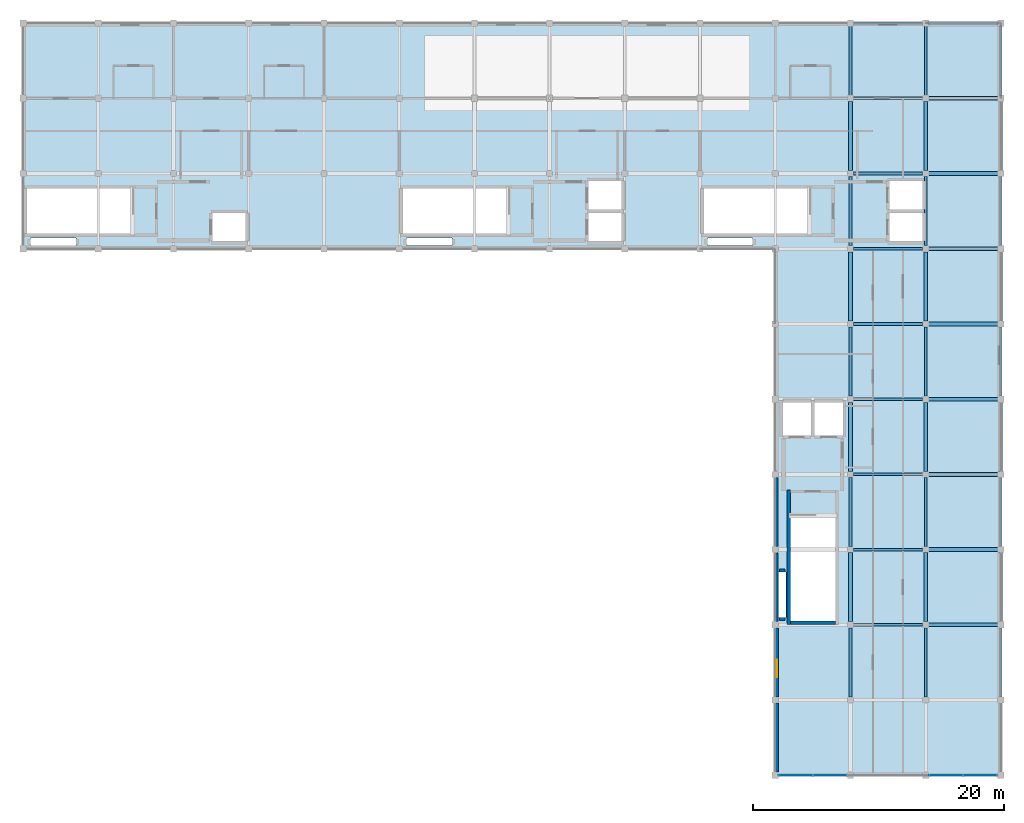
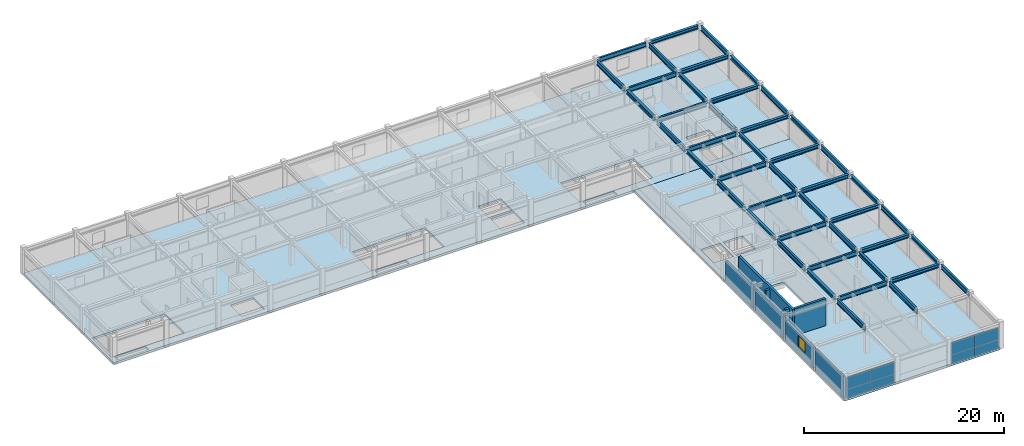
# One storey, part 5 of 11: 45 beams, 8 plates, 8 walls, 2 slabs, 1 window, 1 opening, 2 elements without a shape of their own.
"""IFC4 building model written with IfcOpenShell, lengths in metres."""

from ifc_helpers import new_model, si_unit, direction, frame, frame_2d, origin, origin_2d, place, context, subcontext, project, spatial, polyline, rectangle, i_section, outline, extrude, material, layer, layer_set, material_profile, profile_set, type_object, element, fill, aggregate, save


model = new_model("IFC4")

# Units and contexts
model_context = context("Model", 3, precision=1e-05, world=origin(), true_north=direction((0.0, 1.0)))
body_context = subcontext(model_context, "Body", "Model", "MODEL_VIEW")
ifc_project = project(units=[si_unit("LENGTHUNIT", "METRE"), si_unit("AREAUNIT", "SQUARE_METRE"), si_unit("VOLUMEUNIT", "CUBIC_METRE"), si_unit("PLANEANGLEUNIT", "RADIAN"), si_unit("MASSUNIT", "GRAM", prefix="KILO"), si_unit("THERMODYNAMICTEMPERATUREUNIT", "KELVIN"), si_unit("POWERUNIT", "WATT")], contexts=[model_context])

# Site, building, storey
site_placement = place(None, origin())
site = spatial("IfcSite", under=ifc_project, at=site_placement, CompositionType="ELEMENT")
building_placement = place(site_placement, origin())
building = spatial("IfcBuilding", under=site, at=building_placement, Name="Phaisarnlok Congress Hotel", CompositionType="ELEMENT")
storey_placement = place(building_placement, frame((0.0, 0.0, 51.300048828125)))
storey = spatial("IfcBuildingStorey", under=building, at=storey_placement, Name="L13", CompositionType="ELEMENT", Elevation=51.300048828125)

# Beams
ifc_material_1 = material(Name="Steel S355", Category="steel")
ifc_material_profile_1 = material_profile(ifc_material_1, i_section(OverallWidth=0.300048828125, OverallDepth=0.43994140625, WebThickness=0.011474609375, FlangeThickness=0.02099609375, FilletRadius=0.027099609375, at=origin_2d()), Name="HEA 450")
ifc_profile_set_1 = profile_set([ifc_material_profile_1], Name="Steel S355")
beam_type_1 = type_object("IfcBeamType", Name="BM-STL-HEA450", PredefinedType="BEAM", material=ifc_profile_set_1)
for number, where, z_axis, x_axis, name in (
    (1, (174.2451171875, 78.0, 2.83984375), (1.0, 0.0, 0.0), (0.0, 1.0, 0.0), "Roof beam SB-06"),
    (2, (174.2451171875, 84.0, 2.83984375), (1.0, 0.0, 0.0), (0.0, 1.0, 0.0), "Roof beam SB-06"),
    (3, (174.2451171875, 90.0, 2.83984375), (1.0, 0.0, 0.0), (0.0, 1.0, 0.0), "Roof beam SB-06"),
    (4, (174.2451171875, 96.0, 2.83984375), (1.0, 0.0, 0.0), (0.0, 1.0, 0.0), "Roof beam SB-06"),
    (5, (174.2451171875, 102.0, 2.83984375), (1.0, 0.0, 0.0), (0.0, 1.0, 0.0), "Roof beam SB-06"),
    (6, (174.2451171875, 108.0, 2.83984375), (1.0, 0.0, 0.0), (0.0, 1.0, 0.0), "Roof beam SB-06"),
    (7, (174.2451171875, 114.0, 2.83984375), (1.0, 0.0, 0.0), (0.0, 1.0, 0.0), "Roof beam SB-06"),
    (8, (174.2451171875, 120.0, 2.83984375), (1.0, 0.0, 0.0), (0.0, 1.0, 0.0), "Roof beam SB-06"),
    (9, (174.2451171875, 126.0, 2.83984375), (1.0, 0.0, 0.0), (0.0, 1.0, 0.0), "Roof beam SB-06"),
):
    element("IfcBeam", number, at=place(storey_placement, frame(where, z_axis=z_axis, x_axis=x_axis)), inside=storey, type_object=beam_type_1, Name=name, PredefinedType="BEAM", context=body_context, shape_type="SweptSolid", body=[
        extrude(i_section(OverallWidth=0.300048828125, OverallDepth=0.43994140625, WebThickness=0.011474609375, FlangeThickness=0.02099609375, FilletRadius=0.027099609375, at=origin_2d()), origin(), (0.0, 0.0, 1.0), 5.509765625),
    ])
ifc_material_profile_2 = material_profile(ifc_material_1, i_section(OverallWidth=0.300048828125, OverallDepth=0.449951171875, WebThickness=0.013916015625, FlangeThickness=0.02587890625, FilletRadius=0.027099609375, at=origin_2d()), Name="HEB 450")
ifc_profile_set_2 = profile_set([ifc_material_profile_2], Name="Steel S355")
beam_type_2 = type_object("IfcBeamType", Name="BM-STL-HEB450", PredefinedType="BEAM", material=ifc_profile_set_2)
for number, where, z_axis, x_axis, name in (
    (10, (168.0, 78.2451171875, 2.8349609375), (0.0, 1.0, 0.0), (-1.0, 0.0, 0.0), "Roof beam SB-08"),
    (11, (168.0, 90.2451171875, 2.8349609375), (0.0, 1.0, 0.0), (-1.0, 0.0, 0.0), "Roof beam SB-08"),
    (12, (168.0, 102.2451171875, 2.8349609375), (0.0, 1.0, 0.0), (-1.0, 0.0, 0.0), "Roof beam SB-08"),
    (13, (168.0, 114.2451171875, 2.8349609375), (0.0, 1.0, 0.0), (-1.0, 0.0, 0.0), "Roof beam SB-08"),
    (14, (174.0, 78.2451171875, 2.8349609375), (0.0, 1.0, 0.0), (-1.0, 0.0, 0.0), "Roof beam SB-08"),
    (15, (174.0, 90.2451171875, 2.8349609375), (0.0, 1.0, 0.0), (-1.0, 0.0, 0.0), "Roof beam SB-08"),
    (16, (174.0, 102.2451171875, 2.8349609375), (0.0, 1.0, 0.0), (-1.0, 0.0, 0.0), "Roof beam SB-08"),
    (17, (174.0, 114.2451171875, 2.8349609375), (0.0, 1.0, 0.0), (-1.0, 0.0, 0.0), "Roof beam SB-08"),
    (18, (180.0, 78.2451171875, 2.8349609375), (0.0, 1.0, 0.0), (-1.0, 0.0, 0.0), "Roof beam SB-08"),
    (19, (180.0, 90.2451171875, 2.8349609375), (0.0, 1.0, 0.0), (-1.0, 0.0, 0.0), "Roof beam SB-08"),
    (20, (180.0, 102.2451171875, 2.8349609375), (0.0, 1.0, 0.0), (-1.0, 0.0, 0.0), "Roof beam SB-08"),
    (21, (180.0, 114.2451171875, 2.8349609375), (0.0, 1.0, 0.0), (-1.0, 0.0, 0.0), "Roof beam SB-08"),
):
    element("IfcBeam", number, at=place(storey_placement, frame(where, z_axis=z_axis, x_axis=x_axis)), inside=storey, type_object=beam_type_2, Name=name, PredefinedType="BEAM", context=body_context, shape_type="SweptSolid", body=[
        extrude(i_section(OverallWidth=0.300048828125, OverallDepth=0.449951171875, WebThickness=0.013916015625, FlangeThickness=0.02587890625, FilletRadius=0.027099609375, at=origin_2d()), origin(), (0.0, 0.0, 1.0), 5.509765625),
    ])
ifc_material_profile_3 = material_profile(ifc_material_1, i_section(OverallWidth=0.2099609375, OverallDepth=0.550048828125, WebThickness=0.010986328125, FlangeThickness=0.01708984375, FilletRadius=0.02392578125, at=origin_2d()), Name="IPE 550")
ifc_profile_set_3 = profile_set([ifc_material_profile_3], Name="Steel S355")
beam_type_3 = type_object("IfcBeamType", Name="BM-STL-IPE550", PredefinedType="BEAM", material=ifc_profile_set_3)
for number, where, z_axis, x_axis, name in (
    (22, (168.2451171875, 78.0, 2.784912109375), (1.0, 0.0, 0.0), (0.0, 1.0, 0.0), "Roof beam SB-03"),
    (23, (168.2451171875, 84.0, 2.784912109375), (1.0, 0.0, 0.0), (0.0, 1.0, 0.0), "Roof beam SB-03"),
    (24, (168.2451171875, 90.0, 2.784912109375), (1.0, 0.0, 0.0), (0.0, 1.0, 0.0), "Roof beam SB-03"),
    (25, (168.2451171875, 96.0, 2.784912109375), (1.0, 0.0, 0.0), (0.0, 1.0, 0.0), "Roof beam SB-03"),
    (26, (168.2451171875, 102.0, 2.784912109375), (1.0, 0.0, 0.0), (0.0, 1.0, 0.0), "Roof beam SB-03"),
    (27, (168.2451171875, 108.0, 2.784912109375), (1.0, 0.0, 0.0), (0.0, 1.0, 0.0), "Roof beam SB-03"),
    (28, (168.2451171875, 114.0, 2.784912109375), (1.0, 0.0, 0.0), (0.0, 1.0, 0.0), "Roof beam SB-03"),
    (29, (168.2451171875, 120.0, 2.784912109375), (1.0, 0.0, 0.0), (0.0, 1.0, 0.0), "Roof beam SB-03"),
    (30, (168.2451171875, 126.0, 2.784912109375), (1.0, 0.0, 0.0), (0.0, 1.0, 0.0), "Roof beam SB-03"),
):
    element("IfcBeam", number, at=place(storey_placement, frame(where, z_axis=z_axis, x_axis=x_axis)), inside=storey, type_object=beam_type_3, Name=name, PredefinedType="BEAM", context=body_context, shape_type="SweptSolid", body=[
        extrude(i_section(OverallWidth=0.2099609375, OverallDepth=0.550048828125, WebThickness=0.010986328125, FlangeThickness=0.01708984375, FilletRadius=0.02392578125, at=origin_2d()), origin(), (0.0, 0.0, 1.0), 5.509765625),
    ])
ifc_material_profile_4 = material_profile(ifc_material_1, i_section(OverallWidth=0.219970703125, OverallDepth=0.60009765625, WebThickness=0.011962890625, FlangeThickness=0.01904296875, FilletRadius=0.02392578125, at=origin_2d()), Name="IPE 600")
ifc_profile_set_4 = profile_set([ifc_material_profile_4], Name="Steel S355")
beam_type_4 = type_object("IfcBeamType", Name="BM-STL-IPE600", PredefinedType="BEAM", material=ifc_profile_set_4)
for number, where, z_axis, x_axis, name in (
    (31, (168.0, 72.2451171875, 2.760009765625), (0.0, 1.0, 0.0), (-1.0, 0.0, 0.0), "Roof beam SB-04"),
    (32, (168.0, 84.2451171875, 2.760009765625), (0.0, 1.0, 0.0), (-1.0, 0.0, 0.0), "Roof beam SB-04"),
    (33, (168.0, 96.2451171875, 2.760009765625), (0.0, 1.0, 0.0), (-1.0, 0.0, 0.0), "Roof beam SB-04"),
    (34, (168.0, 108.2451171875, 2.760009765625), (0.0, 1.0, 0.0), (-1.0, 0.0, 0.0), "Roof beam SB-04"),
    (35, (168.0, 120.2451171875, 2.760009765625), (0.0, 1.0, 0.0), (-1.0, 0.0, 0.0), "Roof beam SB-04"),
    (36, (174.0, 72.2451171875, 2.760009765625), (0.0, 1.0, 0.0), (-1.0, 0.0, 0.0), "Roof beam SB-04"),
    (37, (174.0, 84.2451171875, 2.760009765625), (0.0, 1.0, 0.0), (-1.0, 0.0, 0.0), "Roof beam SB-04"),
    (38, (174.0, 96.2451171875, 2.760009765625), (0.0, 1.0, 0.0), (-1.0, 0.0, 0.0), "Roof beam SB-04"),
    (39, (174.0, 108.2451171875, 2.760009765625), (0.0, 1.0, 0.0), (-1.0, 0.0, 0.0), "Roof beam SB-04"),
    (40, (174.0, 120.2451171875, 2.760009765625), (0.0, 1.0, 0.0), (-1.0, 0.0, 0.0), "Roof beam SB-04"),
    (41, (180.0, 72.2451171875, 2.760009765625), (0.0, 1.0, 0.0), (-1.0, 0.0, 0.0), "Roof beam SB-04"),
    (42, (180.0, 84.2451171875, 2.760009765625), (0.0, 1.0, 0.0), (-1.0, 0.0, 0.0), "Roof beam SB-04"),
    (43, (180.0, 96.2451171875, 2.760009765625), (0.0, 1.0, 0.0), (-1.0, 0.0, 0.0), "Roof beam SB-04"),
    (44, (180.0, 108.2451171875, 2.760009765625), (0.0, 1.0, 0.0), (-1.0, 0.0, 0.0), "Roof beam SB-04"),
    (45, (180.0, 120.2451171875, 2.760009765625), (0.0, 1.0, 0.0), (-1.0, 0.0, 0.0), "Roof beam SB-04"),
):
    element("IfcBeam", number, at=place(storey_placement, frame(where, z_axis=z_axis, x_axis=x_axis)), inside=storey, type_object=beam_type_4, Name=name, PredefinedType="BEAM", context=body_context, shape_type="SweptSolid", body=[
        extrude(i_section(OverallWidth=0.219970703125, OverallDepth=0.60009765625, WebThickness=0.011962890625, FlangeThickness=0.01904296875, FilletRadius=0.02392578125, at=origin_2d()), origin(), (0.0, 0.0, 1.0), 5.509765625),
    ])

# Curtain wall, plates
ifc_material_2 = material(Name="Thermally Broken Unitised Aluminium & Low-E Glazing", Category="aluminium")
curtain_wall_type = type_object("IfcCurtainWallType", Name="CW-UNIT-39", PredefinedType="NOTDEFINED", material=ifc_material_2)
curtain_wall_1_placement = place(storey_placement, origin())
curtain_wall_1 = element("IfcCurtainWall", 46, at=curtain_wall_1_placement, inside=storey, type_object=curtain_wall_type, Name="Unitised curtain wall CW-39 (L13)", PredefinedType="NOTDEFINED")
ifc_material_3 = material(Name="Triple Acoustic Solar-Control Glazing", Category="glass")
ifc_layer_1 = layer(ifc_material_3, 0.035888671875, Name="Triple Acoustic Solar-Control Glazing")
ifc_layer_set_1 = layer_set([ifc_layer_1], Name="Triple Acoustic Solar-Control Glazing")
plate_type = type_object("IfcPlateType", Name="CWP-GLZ-36", PredefinedType="CURTAIN_PANEL", material=ifc_layer_set_1)
plate_1_placement = place(storey_placement, frame((162.27490234375, 66.0, 0.0400390625), z_axis=(0.0, 0.0, 1.0), x_axis=(1.0, 0.0, 0.0)))
plate_1 = element("IfcPlate", 47, at=plate_1_placement, type_object=plate_type, Name="Glazed curtain panel CWP-02", PredefinedType="CURTAIN_PANEL", context=body_context, shape_type="SweptSolid", body=[
    extrude(rectangle(XDim=2.710205078125, YDim=0.028076171875, at=frame_2d((1.35498046875, 0.0))), origin(), (0.0, 0.0, 1.0), 1.059814453125),
])
plate_2_placement = place(storey_placement, frame((162.27490234375, 66.0, 1.099853515625), z_axis=(0.0, 0.0, 1.0), x_axis=(1.0, 0.0, 0.0)))
plate_2 = element("IfcPlate", 48, at=plate_2_placement, type_object=plate_type, Name="Glazed curtain panel CWP-02", PredefinedType="CURTAIN_PANEL", context=body_context, shape_type="SweptSolid", body=[
    extrude(rectangle(XDim=2.710205078125, YDim=0.028076171875, at=frame_2d((1.35498046875, 0.0))), origin(), (0.0, 0.0, 1.0), 1.47998046875),
])
plate_3_placement = place(storey_placement, frame((165.014892578125, 66.0, 0.0400390625), z_axis=(0.0, 0.0, 1.0), x_axis=(1.0, 0.0, 0.0)))
plate_3 = element("IfcPlate", 49, at=plate_3_placement, type_object=plate_type, Name="Glazed curtain panel CWP-02", PredefinedType="CURTAIN_PANEL", context=body_context, shape_type="SweptSolid", body=[
    extrude(rectangle(XDim=2.710205078125, YDim=0.028076171875, at=frame_2d((1.35498046875, 0.0))), origin(), (0.0, 0.0, 1.0), 1.059814453125),
])
plate_4_placement = place(storey_placement, frame((165.014892578125, 66.0, 1.099853515625), z_axis=(0.0, 0.0, 1.0), x_axis=(1.0, 0.0, 0.0)))
plate_4 = element("IfcPlate", 50, at=plate_4_placement, type_object=plate_type, Name="Glazed curtain panel CWP-02", PredefinedType="CURTAIN_PANEL", context=body_context, shape_type="SweptSolid", body=[
    extrude(rectangle(XDim=2.710205078125, YDim=0.028076171875, at=frame_2d((1.35498046875, 0.0))), origin(), (0.0, 0.0, 1.0), 1.47998046875),
])
aggregate(curtain_wall_1, [plate_1, plate_2, plate_3, plate_4])

curtain_wall_2_placement = place(storey_placement, origin())
curtain_wall_2 = element("IfcCurtainWall", 51, at=curtain_wall_2_placement, inside=storey, type_object=curtain_wall_type, Name="Unitised curtain wall CW-39 (L13)", PredefinedType="NOTDEFINED")
plate_5_placement = place(storey_placement, frame((174.27490234375, 66.0, 0.0400390625), z_axis=(0.0, 0.0, 1.0), x_axis=(1.0, 0.0, 0.0)))
plate_5 = element("IfcPlate", 52, at=plate_5_placement, type_object=plate_type, Name="Glazed curtain panel CWP-02", PredefinedType="CURTAIN_PANEL", context=body_context, shape_type="SweptSolid", body=[
    extrude(rectangle(XDim=2.710205078125, YDim=0.028076171875, at=frame_2d((1.35498046875, 0.0))), origin(), (0.0, 0.0, 1.0), 1.059814453125),
])
plate_6_placement = place(storey_placement, frame((174.27490234375, 66.0, 1.099853515625), z_axis=(0.0, 0.0, 1.0), x_axis=(1.0, 0.0, 0.0)))
plate_6 = element("IfcPlate", 53, at=plate_6_placement, type_object=plate_type, Name="Glazed curtain panel CWP-02", PredefinedType="CURTAIN_PANEL", context=body_context, shape_type="SweptSolid", body=[
    extrude(rectangle(XDim=2.710205078125, YDim=0.028076171875, at=frame_2d((1.35498046875, 0.0))), origin(), (0.0, 0.0, 1.0), 1.47998046875),
])
plate_7_placement = place(storey_placement, frame((177.014892578125, 66.0, 0.0400390625), z_axis=(0.0, 0.0, 1.0), x_axis=(1.0, 0.0, 0.0)))
plate_7 = element("IfcPlate", 54, at=plate_7_placement, type_object=plate_type, Name="Glazed curtain panel CWP-02", PredefinedType="CURTAIN_PANEL", context=body_context, shape_type="SweptSolid", body=[
    extrude(rectangle(XDim=2.710205078125, YDim=0.028076171875, at=frame_2d((1.35498046875, 0.0))), origin(), (0.0, 0.0, 1.0), 1.059814453125),
])
plate_8_placement = place(storey_placement, frame((177.014892578125, 66.0, 1.099853515625), z_axis=(0.0, 0.0, 1.0), x_axis=(1.0, 0.0, 0.0)))
plate_8 = element("IfcPlate", 55, at=plate_8_placement, type_object=plate_type, Name="Glazed curtain panel CWP-02", PredefinedType="CURTAIN_PANEL", context=body_context, shape_type="SweptSolid", body=[
    extrude(rectangle(XDim=2.710205078125, YDim=0.028076171875, at=frame_2d((1.35498046875, 0.0))), origin(), (0.0, 0.0, 1.0), 1.47998046875),
])
aggregate(curtain_wall_2, [plate_5, plate_6, plate_7, plate_8])

# Slabs
ifc_material_4 = material(Name="Concrete C40/50", Category="concrete")
ifc_layer_2 = layer(ifc_material_4, 0.25, Name="Concrete C40/50")
ifc_layer_set_2 = layer_set([ifc_layer_2], Name="Concrete C40/50")
slab_type = type_object("IfcSlabType", Name="SLB-INT-250", PredefinedType="FLOOR", material=ifc_layer_set_2)
slab_1_placement = place(storey_placement, frame((0.0, 0.0, -0.25)))
element("IfcSlab", 56, at=slab_1_placement, inside=storey, type_object=slab_type, Name="Floor slab SL-INT-250 (L13 v5_n)", PredefinedType="FLOOR", context=body_context, shape_type="SweptSolid", body=[
    extrude(outline(polyline([(180.0, 108.0), (180.0, 126.0), (102.0, 126.0), (102.0, 108.0), (180.0, 108.0)]), holes=[polyline([(164.719970703125, 112.800048828125), (156.300048828125, 112.800048828125), (156.300048828125, 109.0), (164.719970703125, 109.0), (164.719970703125, 112.800048828125)]), polyline([(140.719970703125, 112.800048828125), (132.300048828125, 112.800048828125), (132.300048828125, 109.0), (140.719970703125, 109.0), (140.719970703125, 112.800048828125)]), polyline([(110.719970703125, 112.800048828125), (102.300048828125, 112.800048828125), (102.300048828125, 109.0), (110.719970703125, 109.0), (110.719970703125, 112.800048828125)]), polyline([(173.75, 108.60009765625), (173.75, 110.85009765625), (171.10009765625, 110.85009765625), (171.10009765625, 108.60009765625), (173.75, 108.60009765625)]), polyline([(173.75, 111.14990234375), (173.75, 113.39990234375), (171.10009765625, 113.39990234375), (171.10009765625, 111.14990234375), (173.75, 111.14990234375)]), polyline([(160.199951171875, 108.25), (160.199951171875, 108.85009765625), (156.60009765625, 108.85009765625), (156.60009765625, 108.25), (160.199951171875, 108.25)]), polyline([(149.75, 108.60009765625), (149.75, 110.85009765625), (147.10009765625, 110.85009765625), (147.10009765625, 108.60009765625), (149.75, 108.60009765625)]), polyline([(149.75, 111.14990234375), (149.75, 113.39990234375), (147.10009765625, 113.39990234375), (147.10009765625, 111.14990234375), (149.75, 111.14990234375)]), polyline([(136.199951171875, 108.25), (136.199951171875, 108.85009765625), (132.60009765625, 108.85009765625), (132.60009765625, 108.25), (136.199951171875, 108.25)]), polyline([(119.75, 108.60009765625), (119.75, 110.85009765625), (117.10009765625, 110.85009765625), (117.10009765625, 108.60009765625), (119.75, 108.60009765625)]), polyline([(106.199951171875, 108.25), (106.199951171875, 108.85009765625), (102.60009765625, 108.85009765625), (102.60009765625, 108.25), (106.199951171875, 108.25)])]), origin(), (0.0, 0.0, 1.0), 0.25),
])
slab_2_placement = place(storey_placement, frame((0.0, 0.0, -0.25)))
element("IfcSlab", 57, at=slab_2_placement, inside=storey, type_object=slab_type, Name="Floor slab SL-INT-250 (L13 v5_e)", PredefinedType="FLOOR", context=body_context, shape_type="SweptSolid", body=[
    extrude(outline(polyline([(180.0, 66.0), (180.0, 108.0), (162.0, 108.0), (162.0, 66.0), (180.0, 66.0)]), holes=[polyline([(163.199951171875, 86.719970703125), (163.199951171875, 78.300048828125), (167.0, 78.300048828125), (167.0, 86.719970703125), (163.199951171875, 86.719970703125)]), polyline([(164.85009765625, 93.10009765625), (164.85009765625, 95.75), (162.60009765625, 95.75), (162.60009765625, 93.10009765625), (164.85009765625, 93.10009765625)]), polyline([(167.39990234375, 93.10009765625), (167.39990234375, 95.75), (165.14990234375, 95.75), (165.14990234375, 93.10009765625), (167.39990234375, 93.10009765625)]), polyline([(162.85009765625, 78.60009765625), (162.85009765625, 82.199951171875), (162.25, 82.199951171875), (162.25, 78.60009765625), (162.85009765625, 78.60009765625)])]), origin(), (0.0, 0.0, 1.0), 0.25),
])

# Walls
ifc_layer_3 = layer(ifc_material_4, 0.2099609375, Name="Concrete C40/50")
ifc_layer_set_3 = layer_set([ifc_layer_3], Name="Concrete C40/50")
wall_type_1 = type_object("IfcWallType", Name="WL-EXT-210", PredefinedType="SOLIDWALL", material=ifc_layer_set_3)
wall_1_placement = place(storey_placement, frame((162.10498046875, 83.7451171875, 0.0), z_axis=(0.0, 0.0, 1.0), x_axis=(0.0, -1.0, 0.0)))
element("IfcWall", 58, at=wall_1_placement, inside=storey, type_object=wall_type_1, Name="Exterior wall EW-07 (L13)", PredefinedType="SOLIDWALL", context=body_context, shape_type="SweptSolid", body=[
    extrude(rectangle(XDim=5.490234375, YDim=0.2099609375, at=frame_2d((2.7451171875, 0.0))), origin(), (0.0, 0.0, 1.0), 2.60986328125),
])
ifc_layer_4 = layer(ifc_material_4, 0.22998046875, Name="Concrete C40/50")
ifc_layer_set_4 = layer_set([ifc_layer_4], Name="Concrete C40/50")
wall_type_2 = type_object("IfcWallType", Name="WL-EXT-230", PredefinedType="SOLIDWALL", material=ifc_layer_set_4)
wall_2_placement = place(storey_placement, frame((162.114990234375, 89.7451171875, 0.0), z_axis=(0.0, 0.0, 1.0), x_axis=(0.0, -1.0, 0.0)))
element("IfcWall", 59, at=wall_2_placement, inside=storey, type_object=wall_type_2, Name="Exterior wall EW-06 (L13)", PredefinedType="SOLIDWALL", context=body_context, shape_type="SweptSolid", body=[
    extrude(rectangle(XDim=5.490234375, YDim=0.22998046875, at=frame_2d((2.7451171875, 0.0))), origin(), (0.0, 0.0, 1.0), 2.4599609375),
])
ifc_layer_5 = layer(ifc_material_4, 0.25, Name="Concrete C40/50")
ifc_layer_set_5 = layer_set([ifc_layer_5], Name="Concrete C40/50")
wall_type_3 = type_object("IfcWallType", Name="WL-EXT-250", PredefinedType="SOLIDWALL", material=ifc_layer_set_5)
wall_3_placement = place(storey_placement, frame((162.125, 71.7451171875, 0.0), z_axis=(0.0, 0.0, 1.0), x_axis=(0.0, -1.0, 0.0)))
element("IfcWall", 60, at=wall_3_placement, inside=storey, type_object=wall_type_3, Name="Exterior wall EW-05 (L13)", PredefinedType="SOLIDWALL", context=body_context, shape_type="SweptSolid", body=[
    extrude(rectangle(XDim=5.490234375, YDim=0.25, at=frame_2d((2.7451171875, 0.0))), origin(), (0.0, 0.0, 1.0), 2.60986328125),
])

# Wall, opening, window
ifc_layer_6 = layer(ifc_material_4, 0.27001953125, Name="Concrete C40/50")
ifc_layer_set_6 = layer_set([ifc_layer_6], Name="Concrete C40/50")
wall_type_4 = type_object("IfcWallType", Name="WL-EXT-270", PredefinedType="SOLIDWALL", material=ifc_layer_set_6)
wall_4_placement = place(storey_placement, frame((162.135009765625, 77.7451171875, 0.0), z_axis=(0.0, 0.0, 1.0), x_axis=(0.0, -1.0, 0.0)))
wall_4 = element("IfcWall", 61, at=wall_4_placement, inside=storey, type_object=wall_type_4, Name="Exterior wall EW-04 (L13)", PredefinedType="SOLIDWALL", context=body_context, shape_type="SweptSolid", body=[
    extrude(rectangle(XDim=5.490234375, YDim=0.27001953125, at=frame_2d((2.7451171875, 0.0))), origin(), (0.0, 0.0, 1.0), 2.4599609375),
])
opening_placement = place(wall_4_placement, frame((2.51806640625, 0.0, 0.800048828125)))
opening = element("IfcOpeningElement", 62, at=opening_placement, cuts=wall_4, Name="Opening W-13", PredefinedType="OPENING", context=body_context, shape_type="SweptSolid", body=[
    extrude(rectangle(XDim=1.39990234375, YDim=1.39990234375, at=frame_2d((0.699951171875, 0.699951171875))), frame((0.0, 0.14501953125, 0.0), z_axis=(0.0, -1.0, 0.0), x_axis=(1.0, 0.0, 0.0)), (0.0, 0.0, 1.0), 0.2900390625),
])
ifc_material_5 = material(Name="Thermally Broken Aluminium & Low-E Double Glazing", Category="aluminium")
window_type = type_object("IfcWindowType", Name="WIN-POD-1400", PartitioningType="SINGLE_PANEL", PredefinedType="WINDOW", material=ifc_material_5)
window_placement = place(opening_placement, origin())
window = element("IfcWindow", 63, at=window_placement, inside=storey, type_object=window_type, Name="Guestroom window W-13 (L13)", OverallHeight=1.39990234375, OverallWidth=1.39990234375, PartitioningType="SINGLE_PANEL", PredefinedType="WINDOW", context=body_context, shape_type="SweptSolid", body=[
    extrude(rectangle(XDim=1.39990234375, YDim=1.39990234375, at=frame_2d((0.699951171875, 0.699951171875))), frame((0.0, 0.030029296875, 0.0), z_axis=(0.0, -1.0, 0.0), x_axis=(1.0, 0.0, 0.0)), (0.0, 0.0, 1.0), 0.06005859375),
])
fill(opening, window)

# Walls
ifc_material_6 = material(Name="Concrete C50/60", Category="concrete")
ifc_layer_7 = layer(ifc_material_6, 0.260009765625, Name="Concrete C50/60")
ifc_layer_set_7 = layer_set([ifc_layer_7], Name="Concrete C50/60")
wall_type_5 = type_object("IfcWallType", Name="WL-SHR-260", PredefinedType="SHEAR", material=ifc_layer_set_7)
wall_5_placement = place(storey_placement, frame((163.070068359375, 78.0400390625, 0.0), z_axis=(0.0, 0.0, 1.0), x_axis=(0.0, 1.0, 0.0)))
element("IfcWall", 64, at=wall_5_placement, inside=storey, type_object=wall_type_5, Name="Stair shaft shear wall SW-04 (CORE-3 L13)", PredefinedType="SHEAR", context=body_context, shape_type="SweptSolid", body=[
    extrude(rectangle(XDim=10.719970703125, YDim=0.260009765625, at=frame_2d((5.35986328125, 0.0))), origin(), (0.0, 0.0, 1.0), 3.300048828125),
])
wall_6_placement = place(storey_placement, frame((163.199951171875, 78.169921875, 0.0), z_axis=(0.0, 0.0, 1.0), x_axis=(1.0, 0.0, 0.0)))
element("IfcWall", 65, at=wall_6_placement, inside=storey, type_object=wall_type_5, Name="Stair shaft shear wall SW-04 (CORE-3 L13)", PredefinedType="SHEAR", context=body_context, shape_type="SweptSolid", body=[
    extrude(rectangle(XDim=3.60009765625, YDim=0.260009765625, at=frame_2d((1.800048828125, 0.0))), origin(), (0.0, 0.0, 1.0), 3.300048828125),
])
for number, where, z_axis, x_axis, name in (
    (66, (162.330078125, 78.469970703125, 0.0), (0.0, 0.0, 1.0), (1.0, 0.0, 0.0), "Service riser shaft wall SW-04 (CORE-3 L13)"),
    (67, (162.330078125, 82.330078125, 0.0), (0.0, 0.0, 1.0), (1.0, 0.0, 0.0), "Service riser shaft wall SW-04 (CORE-3 L13)"),
):
    element("IfcWall", number, at=place(storey_placement, frame(where, z_axis=z_axis, x_axis=x_axis)), inside=storey, type_object=wall_type_5, Name=name, PredefinedType="SHEAR", context=body_context, shape_type="SweptSolid", body=[
        extrude(rectangle(XDim=0.43994140625, YDim=0.260009765625, at=frame_2d((0.219970703125, 0.0))), origin(), (0.0, 0.0, 1.0), 3.300048828125),
    ])

save(model, "model.ifc")
